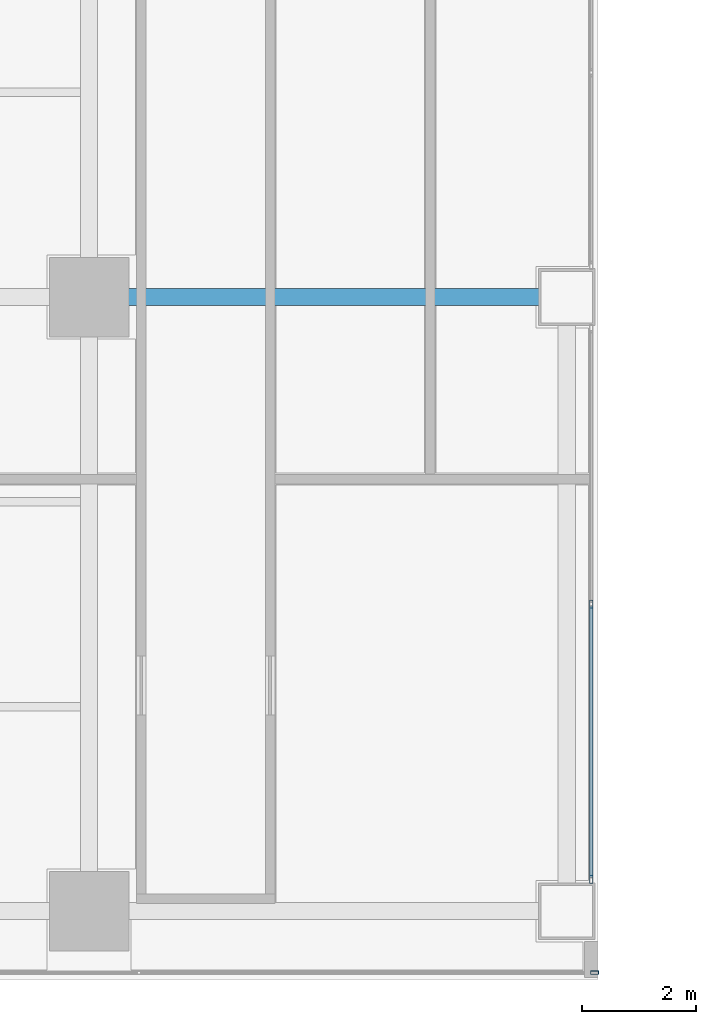
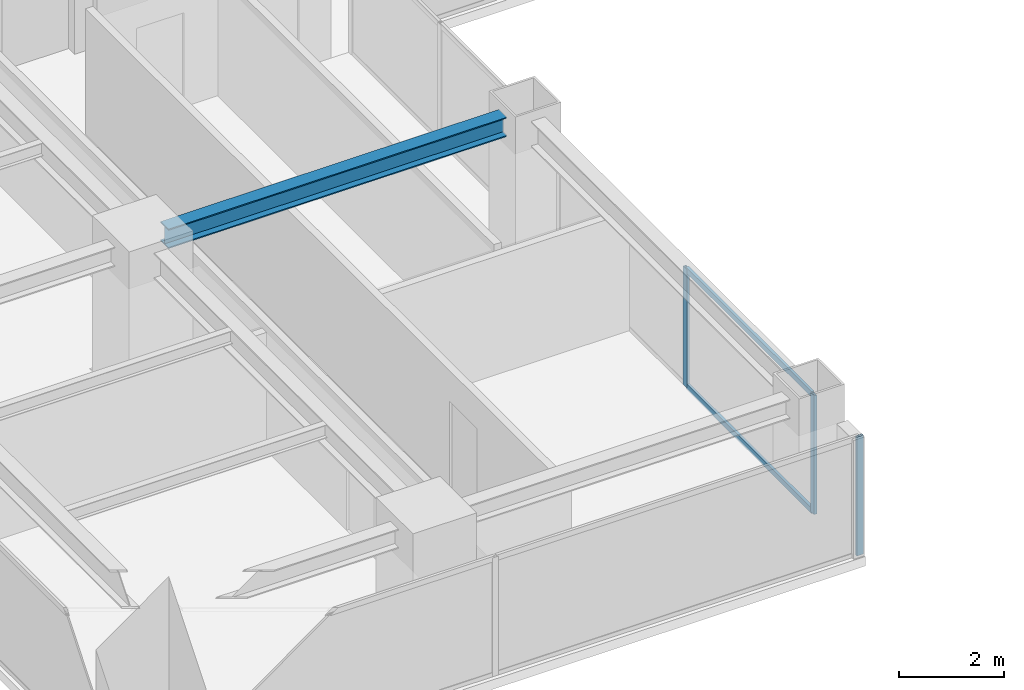
# One storey, part 5 of 29: 5 members, 1 beam, 2 elements without a shape of their own.
"""IFC4 building model written with IfcOpenShell, lengths in metres."""

from ifc_helpers import new_model, si_unit, direction, frame, origin, origin_2d, place, context, subcontext, project, spatial, hollow_rectangle, i_section, extrude, source, transform, mapped, material, layer, layer_set, material_profile, profile_set, type_object, element, aggregate, save


model = new_model("IFC4")

# Units and contexts
model_context = context("Model", 3, precision=1e-05, world=origin(), true_north=direction((0.0, 1.0)))
body_context = subcontext(model_context, "Body", "Model", "MODEL_VIEW")
ifc_project = project(units=[si_unit("LENGTHUNIT", "METRE"), si_unit("AREAUNIT", "SQUARE_METRE"), si_unit("VOLUMEUNIT", "CUBIC_METRE"), si_unit("PLANEANGLEUNIT", "RADIAN"), si_unit("MASSUNIT", "GRAM", prefix="KILO")], contexts=[model_context])

# Site, building, storey
site_placement = place(None, origin())
site = spatial("IfcSite", under=ifc_project, at=site_placement, CompositionType="ELEMENT")
building_placement = place(site_placement, origin())
building = spatial("IfcBuilding", under=site, at=building_placement, Name="Sumidabori Civic Tower", CompositionType="ELEMENT")
storey_placement = place(building_placement, frame((0.0, 0.0, 218.0)))
storey = spatial("IfcBuildingStorey", under=building, at=storey_placement, Name="L56", CompositionType="ELEMENT", Elevation=218.0)

# Beam
ifc_material_1 = material(Name="Steel SN490", Category="steel")
ifc_material_profile_1 = material_profile(ifc_material_1, i_section(OverallWidth=0.300048828125, OverallDepth=0.449951171875, WebThickness=0.013916015625, FlangeThickness=0.02587890625, at=origin_2d()), Name="HE 450 B")
ifc_profile_set_1 = profile_set([ifc_material_profile_1], Name="Steel SN490")
beam_type = type_object("IfcBeamType", Name="BM-GIRD-450", PredefinedType="BEAM", material=ifc_profile_set_1)
shared_shape_1 = source(origin(), body_context, "Body", "SweptSolid", [
    extrude(i_section(OverallWidth=0.300048828125, OverallDepth=0.449951171875, WebThickness=0.013916015625, FlangeThickness=0.02587890625, at=origin_2d()), origin(), (0.0, 0.0, 1.0), 7.440185546875),
])
beam_placement = place(storey_placement, frame((-16.320068359375, 0.0, 3.155029296875), z_axis=(1.0, 0.0, 0.0), x_axis=(0.0, 1.0, 0.0)))
element("IfcBeam", 1, at=beam_placement, inside=storey, type_object=beam_type, Name="Primary Girder L56 GX-06", PredefinedType="BEAM", context=body_context, shape_type="MappedRepresentation", body=[
    mapped(shared_shape_1, transform((0.0, 0.0, 0.0), x_axis=(1.0, 0.0, 0.0), y_axis=(0.0, 1.0, 0.0), z_axis=(0.0, 0.0, 1.0), scale=1.0)),
])

# Curtain wall, member
ifc_material_2 = material(Name="Anodised Bronze Aluminium AW-6063-T6", Category="aluminium")
ifc_layer_1 = layer(ifc_material_2, 0.179931640625, Name="Anodised Bronze Aluminium AW-6063-T6")
ifc_layer_set_1 = layer_set([ifc_layer_1], Name="Anodised Bronze Aluminium AW-6063-T6")
curtain_wall_type_1 = type_object("IfcCurtainWallType", Name="CW-SYS-5", PredefinedType="NOTDEFINED", material=ifc_layer_set_1)
curtain_wall_1_placement = place(storey_placement, origin())
curtain_wall_1 = element("IfcCurtainWall", 2, at=curtain_wall_1_placement, inside=storey, type_object=curtain_wall_type_1, Name="Curtain Wall CW:L56:R01", PredefinedType="NOTDEFINED")
ifc_material_profile_2 = material_profile(ifc_material_2, hollow_rectangle(XDim=0.06005859375, YDim=0.139892578125, WallThickness=0.0048828125, at=origin_2d()), Name="ALU MULLION 140x60")
ifc_profile_set_2 = profile_set([ifc_material_profile_2], Name="Anodised Bronze Aluminium AW-6063-T6")
member_type_1 = type_object("IfcMemberType", Name="CW-MUL-140", PredefinedType="MULLION", material=ifc_profile_set_2)
shared_shape_2 = source(origin(), body_context, "Body", "SweptSolid", [
    extrude(hollow_rectangle(XDim=0.06005859375, YDim=0.139892578125, WallThickness=0.0048828125, at=origin_2d()), origin(), (0.0, 0.0, 1.0), 2.760009765625),
])
member_1_placement = place(storey_placement, frame((-7.909912109375, -11.8798828125, 0.0), z_axis=(0.0, 0.0, 1.0), x_axis=(0.0, 1.0, 0.0)))
member_1 = element("IfcMember", 3, at=member_1_placement, type_object=member_type_1, Name="CW-5 mullion 3", PredefinedType="MULLION", context=body_context, shape_type="MappedRepresentation", body=[
    mapped(shared_shape_2, transform((0.0, 0.0, 0.0), x_axis=(1.0, 0.0, 0.0), y_axis=(0.0, 1.0, 0.0), z_axis=(0.0, 0.0, 1.0), scale=1.0)),
])
aggregate(curtain_wall_1, [member_1])

# Curtain wall, members
ifc_layer_2 = layer(ifc_material_2, 0.179931640625, Name="Anodised Bronze Aluminium AW-6063-T6")
ifc_layer_set_2 = layer_set([ifc_layer_2], Name="Anodised Bronze Aluminium AW-6063-T6")
curtain_wall_type_2 = type_object("IfcCurtainWallType", Name="CW-SYS-4", PredefinedType="NOTDEFINED", material=ifc_layer_set_2)
curtain_wall_2_placement = place(storey_placement, origin())
curtain_wall_2 = element("IfcCurtainWall", 4, at=curtain_wall_2_placement, inside=storey, type_object=curtain_wall_type_2, Name="Curtain Wall CW:L56:R03", PredefinedType="NOTDEFINED")
member_2_placement = place(storey_placement, frame((-7.969970703125, -10.239990234375, 0.0), z_axis=(0.0, 0.0, 1.0), x_axis=(-1.0, 0.0, 0.0)))
member_2 = element("IfcMember", 5, at=member_2_placement, type_object=member_type_1, Name="CW-4 mullion 1", PredefinedType="MULLION", context=body_context, shape_type="MappedRepresentation", body=[
    mapped(shared_shape_2, transform((0.0, 0.0, 0.0), x_axis=(1.0, 0.0, 0.0), y_axis=(0.0, 1.0, 0.0), z_axis=(0.0, 0.0, 1.0), scale=1.0)),
])
member_3_placement = place(storey_placement, frame((-7.969970703125, -5.39990234375, 0.0), z_axis=(0.0, 0.0, 1.0), x_axis=(-1.0, 0.0, 0.0)))
member_3 = element("IfcMember", 6, at=member_3_placement, type_object=member_type_1, Name="CW-4 mullion 2", PredefinedType="MULLION", context=body_context, shape_type="MappedRepresentation", body=[
    mapped(shared_shape_2, transform((0.0, 0.0, 0.0), x_axis=(1.0, 0.0, 0.0), y_axis=(0.0, 1.0, 0.0), z_axis=(0.0, 0.0, 1.0), scale=1.0)),
])
ifc_material_profile_3 = material_profile(ifc_material_2, hollow_rectangle(XDim=0.06005859375, YDim=0.1298828125, WallThickness=0.0048828125, at=origin_2d()), Name="ALU TRANSOM 130x60")
ifc_profile_set_3 = profile_set([ifc_material_profile_3], Name="Anodised Bronze Aluminium AW-6063-T6")
member_type_2 = type_object("IfcMemberType", Name="CW-TRN-130", PredefinedType="USERDEFINED", material=ifc_profile_set_3)
shared_shape_3 = source(origin(), body_context, "Body", "SweptSolid", [
    extrude(hollow_rectangle(XDim=0.06005859375, YDim=0.1298828125, WallThickness=0.0048828125, at=origin_2d()), origin(), (0.0, 0.0, 1.0), 4.780029296875),
])
member_4_placement = place(storey_placement, frame((-7.969970703125, -10.2099609375, 0.030029296875), z_axis=(0.0, 1.0, 0.0), x_axis=(-1.0, 0.0, 0.0)))
member_4 = element("IfcMember", 7, at=member_4_placement, type_object=member_type_2, Name="CW-4 transom 1.1", ObjectType="TRANSOM", PredefinedType="USERDEFINED", context=body_context, shape_type="MappedRepresentation", body=[
    mapped(shared_shape_3, transform((0.0, 0.0, 0.0), x_axis=(1.0, 0.0, 0.0), y_axis=(0.0, 1.0, 0.0), z_axis=(0.0, 0.0, 1.0), scale=1.0)),
])
member_5_placement = place(storey_placement, frame((-7.969970703125, -10.2099609375, 2.72998046875), z_axis=(0.0, 1.0, 0.0), x_axis=(-1.0, 0.0, 0.0)))
member_5 = element("IfcMember", 8, at=member_5_placement, type_object=member_type_2, Name="CW-4 transom 1.2", ObjectType="TRANSOM", PredefinedType="USERDEFINED", context=body_context, shape_type="MappedRepresentation", body=[
    mapped(shared_shape_3, transform((0.0, 0.0, 0.0), x_axis=(1.0, 0.0, 0.0), y_axis=(0.0, 1.0, 0.0), z_axis=(0.0, 0.0, 1.0), scale=1.0)),
])
aggregate(curtain_wall_2, [member_2, member_3, member_4, member_5])

save(model, "model.ifc")
